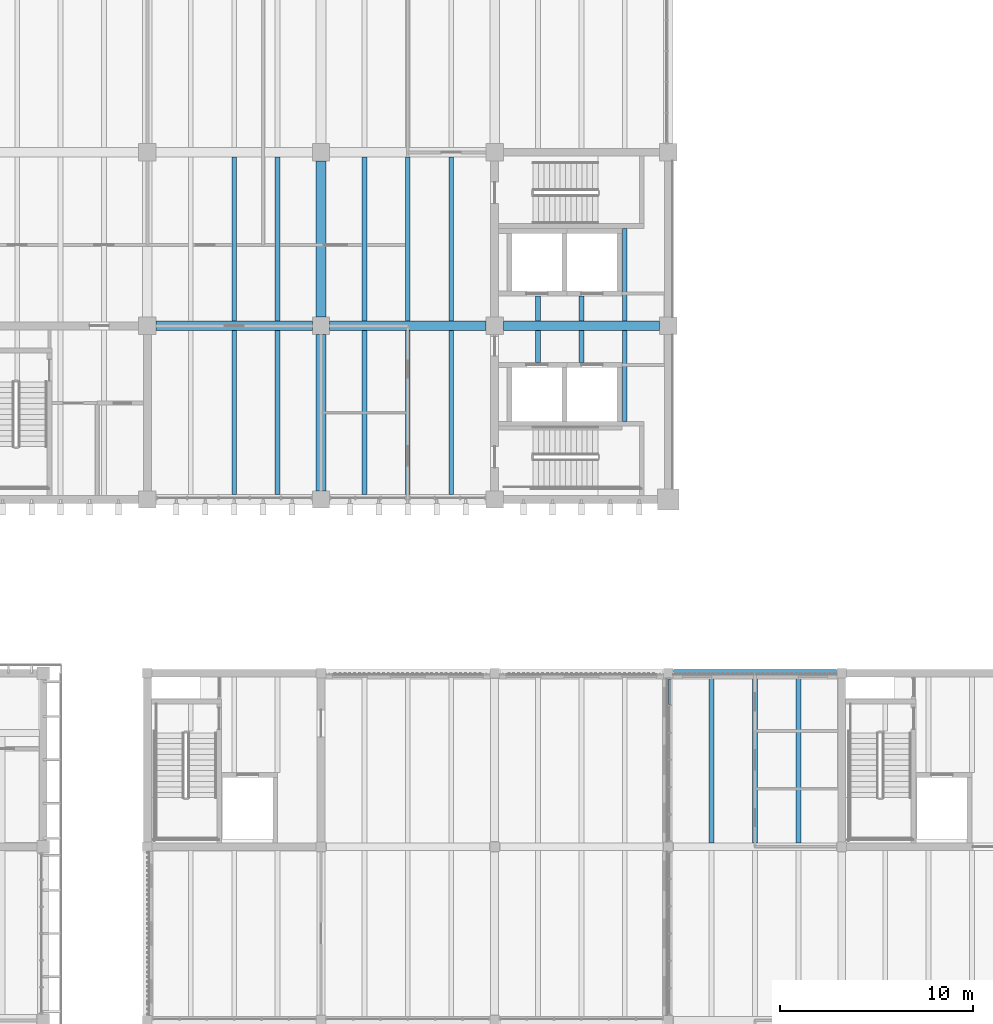
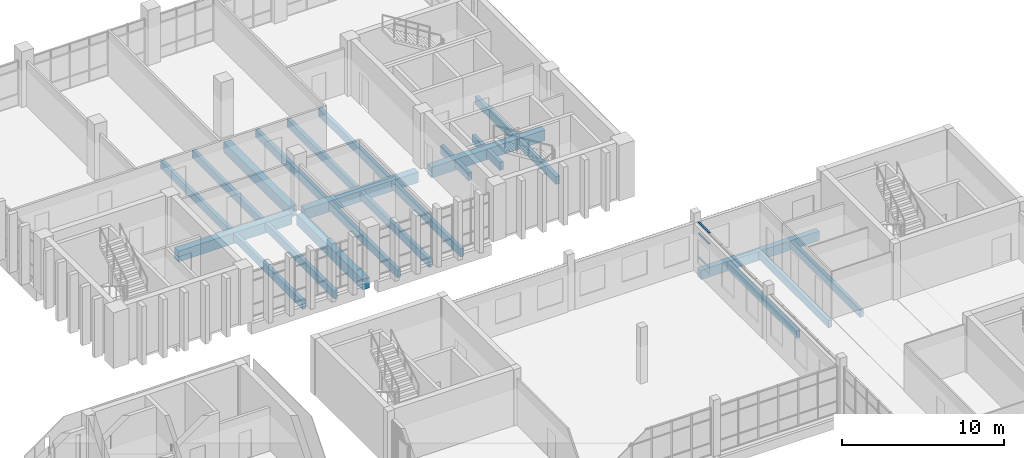
# One storey, part 30 of 92: 25 beams, 3 members, 1 element without a shape of its own.
"""IFC4 building model written with IfcOpenShell, lengths in metres."""

from ifc_helpers import new_model, si_unit, direction, frame, origin, origin_2d, place, context, subcontext, project, spatial, rectangle, extrude, material, material_profile, profile_set, type_object, element, aggregate, save


model = new_model("IFC4")

# Units and contexts
model_context = context("Model", 3, precision=1e-05, world=origin(), true_north=direction((0.0, 1.0)))
body_context = subcontext(model_context, "Body", "Model", "MODEL_VIEW")
ifc_project = project(units=[si_unit("LENGTHUNIT", "METRE"), si_unit("AREAUNIT", "SQUARE_METRE"), si_unit("VOLUMEUNIT", "CUBIC_METRE"), si_unit("PLANEANGLEUNIT", "RADIAN"), si_unit("MASSUNIT", "GRAM", prefix="KILO")], contexts=[model_context])

# Site, building, storey
site_placement = place(None, origin())
site = spatial("IfcSite", under=ifc_project, at=site_placement, CompositionType="ELEMENT")
building_placement = place(site_placement, origin())
building = spatial("IfcBuilding", under=site, at=building_placement, Name="Merrow Basin Faculty of Sciences", CompositionType="ELEMENT")
storey_placement = place(building_placement, frame((0.0, 0.0, 4.5)))
storey = spatial("IfcBuildingStorey", under=building, at=storey_placement, Name="L01", CompositionType="ELEMENT", Elevation=4.5)

# Curtain wall, members
ifc_material_1 = material(Name="Aluminium alloy 6063", Category="aluminium")
curtain_wall_type = type_object("IfcCurtainWallType", Name="Court curtain wall 140", PredefinedType="NOTDEFINED", material=ifc_material_1)
curtain_wall_placement = place(storey_placement, origin())
curtain_wall = element("IfcCurtainWall", 1, at=curtain_wall_placement, inside=storey, type_object=curtain_wall_type, Name="Court curtain wall L01 8", PredefinedType="NOTDEFINED")
ifc_material_2 = material(Name="Aluminium alloy 6063", Category="aluminium")
ifc_material_profile_1 = material_profile(ifc_material_2, rectangle(XDim=0.1201171875, YDim=0.06005859375, at=origin_2d()))
ifc_profile_set_1 = profile_set([ifc_material_profile_1], Name="Aluminium alloy 6063")
member_type = type_object("IfcMemberType", Name="Aluminium transom 60x120", PredefinedType="USERDEFINED", material=ifc_profile_set_1)
member_1_placement = place(storey_placement, frame((54.070068359375, 131.36328125, 0.89990234375), z_axis=(0.0, 1.0, 0.0), x_axis=(-1.0, 0.0, 0.0)))
member_1 = element("IfcMember", 2, at=member_1_placement, type_object=member_type, Name="CW8 transom 6.2", ObjectType="TRANSOM", PredefinedType="USERDEFINED", context=body_context, shape_type="SweptSolid", body=[
    extrude(rectangle(XDim=0.1201171875, YDim=0.06005859375, at=origin_2d()), origin(), (0.0, 0.0, 1.0), 1.32666015625),
])
member_2_placement = place(storey_placement, frame((54.070068359375, 131.36328125, 2.699951171875), z_axis=(0.0, 1.0, 0.0), x_axis=(-1.0, 0.0, 0.0)))
member_2 = element("IfcMember", 3, at=member_2_placement, type_object=member_type, Name="CW8 transom 6.3", ObjectType="TRANSOM", PredefinedType="USERDEFINED", context=body_context, shape_type="SweptSolid", body=[
    extrude(rectangle(XDim=0.1201171875, YDim=0.06005859375, at=origin_2d()), origin(), (0.0, 0.0, 1.0), 1.32666015625),
])
member_3_placement = place(storey_placement, frame((54.070068359375, 131.36328125, 3.52001953125), z_axis=(0.0, 1.0, 0.0), x_axis=(-1.0, 0.0, 0.0)))
member_3 = element("IfcMember", 4, at=member_3_placement, type_object=member_type, Name="CW8 transom 6.4", ObjectType="TRANSOM", PredefinedType="USERDEFINED", context=body_context, shape_type="SweptSolid", body=[
    extrude(rectangle(XDim=0.1201171875, YDim=0.06005859375, at=origin_2d()), origin(), (0.0, 0.0, 1.0), 1.32666015625),
])
aggregate(curtain_wall, [member_1, member_2, member_3])

# Beams
ifc_material_3 = material(Name="Concrete C40/50", Category="concrete")
ifc_material_profile_2 = material_profile(ifc_material_3, rectangle(XDim=0.39990234375, YDim=0.699951171875, at=origin_2d()))
ifc_profile_set_2 = profile_set([ifc_material_profile_2], Name="Concrete C40/50")
beam_type_1 = type_object("IfcBeamType", Name="Beam RC400x700 C40/50", PredefinedType="BEAM", material=ifc_profile_set_2)
beam_1_placement = place(storey_placement, frame((54.27490234375, 133.0, -0.60009765625), z_axis=(1.0, 0.0, 0.0), x_axis=(0.0, 1.0, 0.0)))
element("IfcBeam", 5, at=beam_1_placement, inside=storey, type_object=beam_type_1, Name="B3 L01 019", PredefinedType="BEAM", context=body_context, shape_type="SweptSolid", body=[
    extrude(rectangle(XDim=0.39990234375, YDim=0.699951171875, at=origin_2d()), origin(), (0.0, 0.0, 1.0), 8.4501953125),
])
ifc_material_4 = material(Name="Concrete C40/50", Category="concrete")
ifc_material_profile_3 = material_profile(ifc_material_4, rectangle(XDim=0.5, YDim=0.800048828125, at=origin_2d()))
ifc_profile_set_3 = profile_set([ifc_material_profile_3], Name="Concrete C40/50")
beam_type_2 = type_object("IfcBeamType", Name="Beam RC500x800 C40/50", PredefinedType="BEAM", material=ifc_profile_set_3)
for number, where, z_axis, x_axis, name in (
    (6, (27.449951171875, 151.0, -0.699951171875), (1.0, 0.0, 0.0), (0.0, 1.0, 0.0), "B4 L01 003"),
    (7, (36.449951171875, 151.0, -0.699951171875), (1.0, 0.0, 0.0), (0.0, 1.0, 0.0), "B4 L01 004"),
    (8, (45.449951171875, 151.0, -0.699951171875), (1.0, 0.0, 0.0), (0.0, 1.0, 0.0), "B4 L01 005"),
    (9, (36.0, 142.449951171875, -0.699951171875), (0.0, 1.0, 0.0), (-1.0, 0.0, 0.0), "B4 L01 017"),
    (10, (36.0, 151.449951171875, -0.699951171875), (0.0, 1.0, 0.0), (-1.0, 0.0, 0.0), "B4 L01 018"),
):
    element("IfcBeam", number, at=place(storey_placement, frame(where, z_axis=z_axis, x_axis=x_axis)), inside=storey, type_object=beam_type_2, Name=name, PredefinedType="BEAM", context=body_context, shape_type="SweptSolid", body=[
        extrude(rectangle(XDim=0.5, YDim=0.800048828125, at=origin_2d()), origin(), (0.0, 0.0, 1.0), 8.10009765625),
    ])
ifc_material_5 = material(Name="Concrete C40/50", Category="concrete")
ifc_material_profile_4 = material_profile(ifc_material_5, rectangle(XDim=0.25, YDim=0.550048828125, at=origin_2d()))
ifc_profile_set_4 = profile_set([ifc_material_profile_4], Name="Concrete C40/50")
beam_type_3 = type_object("IfcBeamType", Name="Commons floor joist RC250x550 C40/50", PredefinedType="BEAM", material=ifc_profile_set_4)
for number, where, z_axis, x_axis, name in (
    (11, (56.25, 124.199951171875, -0.52490234375), (0.0, 1.0, 0.0), (-1.0, 0.0, 0.0), "JC1 L01 081"),
    (12, (58.5, 124.199951171875, -0.52490234375), (0.0, 1.0, 0.0), (-1.0, 0.0, 0.0), "JC1 L01 082"),
    (13, (60.75, 124.199951171875, -0.52490234375), (0.0, 1.0, 0.0), (-1.0, 0.0, 0.0), "JC1 L01 083"),
):
    element("IfcBeam", number, at=place(storey_placement, frame(where, z_axis=z_axis, x_axis=x_axis)), inside=storey, type_object=beam_type_3, Name=name, PredefinedType="BEAM", context=body_context, shape_type="SweptSolid", body=[
        extrude(rectangle(XDim=0.25, YDim=0.550048828125, at=origin_2d()), origin(), (0.0, 0.0, 1.0), 8.60009765625),
    ])
ifc_material_6 = material(Name="Concrete C40/50", Category="concrete")
ifc_material_profile_5 = material_profile(ifc_material_6, rectangle(XDim=0.25, YDim=0.60009765625, at=origin_2d()))
ifc_profile_set_5 = profile_set([ifc_material_profile_5], Name="Concrete C40/50")
beam_type_4 = type_object("IfcBeamType", Name="Tower floor joist RC250x600 C40/50", PredefinedType="BEAM", material=ifc_profile_set_5)
for number, where, z_axis, x_axis, name in (
    (14, (31.5, 142.25, -0.60009765625), (0.0, 1.0, 0.0), (-1.0, 0.0, 0.0), "JT1 L01 033"),
    (15, (33.75, 142.25, -0.60009765625), (0.0, 1.0, 0.0), (-1.0, 0.0, 0.0), "JT1 L01 034"),
    (16, (31.5, 151.25, -0.60009765625), (0.0, 1.0, 0.0), (-1.0, 0.0, 0.0), "JT1 L01 036"),
    (17, (33.75, 151.25, -0.60009765625), (0.0, 1.0, 0.0), (-1.0, 0.0, 0.0), "JT1 L01 037"),
    (18, (38.25, 142.25, -0.60009765625), (0.0, 1.0, 0.0), (-1.0, 0.0, 0.0), "JT1 L01 041"),
    (19, (40.5, 142.25, -0.60009765625), (0.0, 1.0, 0.0), (-1.0, 0.0, 0.0), "JT1 L01 042"),
    (20, (42.75, 142.25, -0.60009765625), (0.0, 1.0, 0.0), (-1.0, 0.0, 0.0), "JT1 L01 043"),
    (21, (38.25, 151.25, -0.60009765625), (0.0, 1.0, 0.0), (-1.0, 0.0, 0.0), "JT1 L01 044"),
    (22, (40.5, 151.25, -0.60009765625), (0.0, 1.0, 0.0), (-1.0, 0.0, 0.0), "JT1 L01 045"),
    (23, (42.75, 151.25, -0.60009765625), (0.0, 1.0, 0.0), (-1.0, 0.0, 0.0), "JT1 L01 046"),
):
    element("IfcBeam", number, at=place(storey_placement, frame(where, z_axis=z_axis, x_axis=x_axis)), inside=storey, type_object=beam_type_4, Name=name, PredefinedType="BEAM", context=body_context, shape_type="SweptSolid", body=[
        extrude(rectangle(XDim=0.25, YDim=0.60009765625, at=origin_2d()), origin(), (0.0, 0.0, 1.0), 8.5),
    ])
for number, where, z_axis, x_axis, name in (
    (24, (47.25, 149.10009765625, -0.60009765625), (0.0, 1.0, 0.0), (-1.0, 0.0, 0.0), "JT1 L01 050"),
    (25, (49.5, 149.10009765625, -0.60009765625), (0.0, 1.0, 0.0), (-1.0, 0.0, 0.0), "JT1 L01 051"),
):
    element("IfcBeam", number, at=place(storey_placement, frame(where, z_axis=z_axis, x_axis=x_axis)), inside=storey, type_object=beam_type_4, Name=name, PredefinedType="BEAM", context=body_context, shape_type="SweptSolid", body=[
        extrude(rectangle(XDim=0.25, YDim=0.60009765625, at=origin_2d()), origin(), (0.0, 0.0, 1.0), 1.64990234375),
    ])
beam_2_placement = place(storey_placement, frame((51.75, 146.050048828125, -0.60009765625), z_axis=(0.0, 1.0, 0.0), x_axis=(-1.0, 0.0, 0.0)))
element("IfcBeam", 26, at=beam_2_placement, inside=storey, type_object=beam_type_4, Name="JT1 L01 052", PredefinedType="BEAM", context=body_context, shape_type="SweptSolid", body=[
    extrude(rectangle(XDim=0.25, YDim=0.60009765625, at=origin_2d()), origin(), (0.0, 0.0, 1.0), 4.699951171875),
])
for number, where, z_axis, x_axis, name in (
    (27, (47.25, 151.25, -0.60009765625), (0.0, 1.0, 0.0), (-1.0, 0.0, 0.0), "JT1 L01 053"),
    (28, (49.5, 151.25, -0.60009765625), (0.0, 1.0, 0.0), (-1.0, 0.0, 0.0), "JT1 L01 054"),
):
    element("IfcBeam", number, at=place(storey_placement, frame(where, z_axis=z_axis, x_axis=x_axis)), inside=storey, type_object=beam_type_4, Name=name, PredefinedType="BEAM", context=body_context, shape_type="SweptSolid", body=[
        extrude(rectangle(XDim=0.25, YDim=0.60009765625, at=origin_2d()), origin(), (0.0, 0.0, 1.0), 1.300048828125),
    ])
beam_3_placement = place(storey_placement, frame((51.75, 151.25, -0.60009765625), z_axis=(0.0, 1.0, 0.0), x_axis=(-1.0, 0.0, 0.0)))
element("IfcBeam", 29, at=beam_3_placement, inside=storey, type_object=beam_type_4, Name="JT1 L01 055", PredefinedType="BEAM", context=body_context, shape_type="SweptSolid", body=[
    extrude(rectangle(XDim=0.25, YDim=0.60009765625, at=origin_2d()), origin(), (0.0, 0.0, 1.0), 4.800048828125),
])

save(model, "model.ifc")
